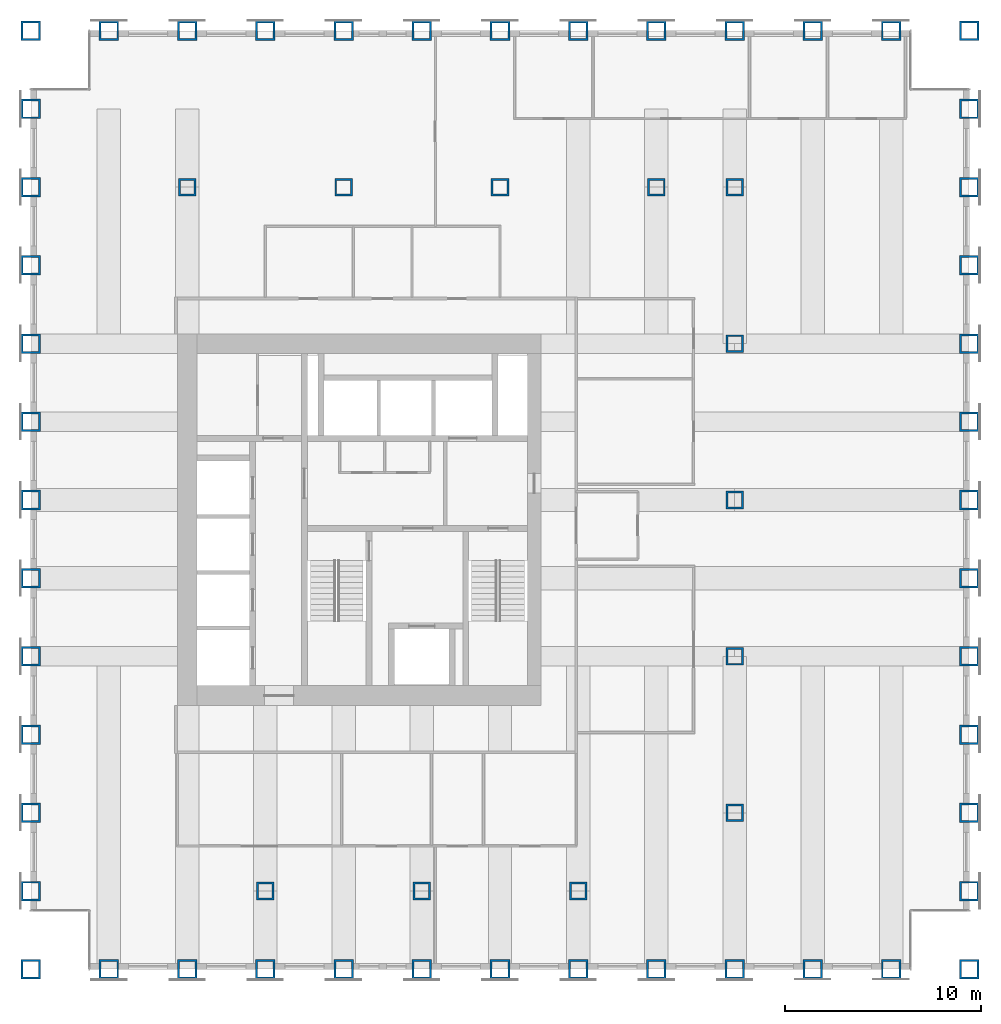
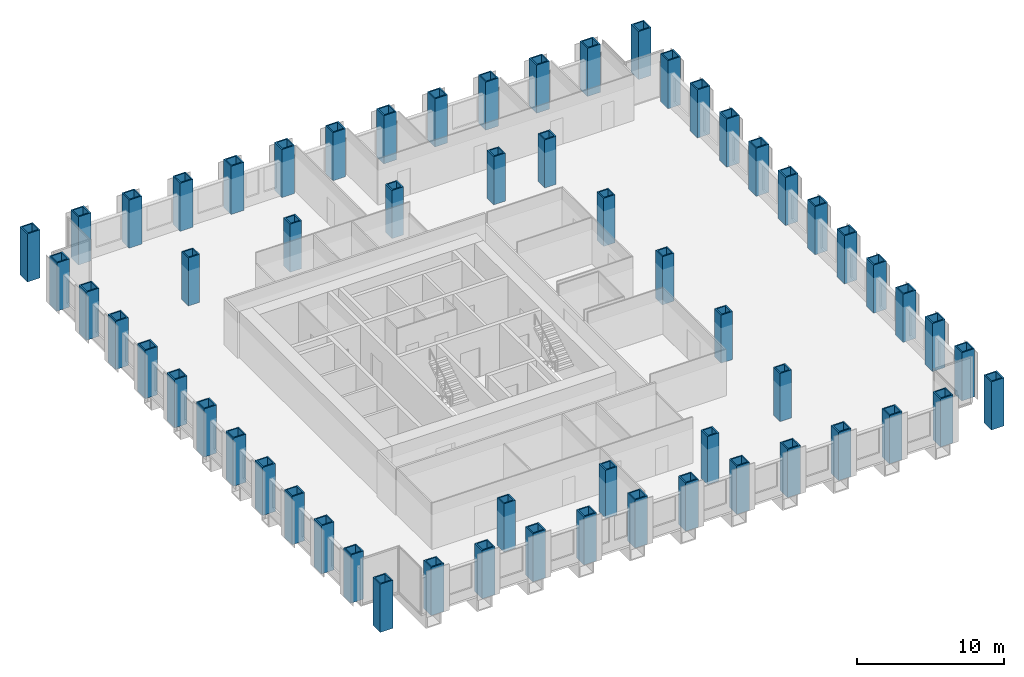
# One storey, part 1 of 14: 60 columns.
"""IFC4 building model written with IfcOpenShell, lengths in metres."""

from ifc_helpers import new_model, si_unit, direction, frame, origin, origin_2d, place, context, subcontext, project, spatial, hollow_rectangle, extrude, material, material_profile, profile_set, type_object, element, save


model = new_model("IFC4")

# Units and contexts
model_context = context("Model", 3, precision=1e-05, world=origin(), true_north=direction((0.0, 1.0)))
body_context = subcontext(model_context, "Body", "Model", "MODEL_VIEW")
ifc_project = project(units=[si_unit("LENGTHUNIT", "METRE"), si_unit("AREAUNIT", "SQUARE_METRE"), si_unit("VOLUMEUNIT", "CUBIC_METRE"), si_unit("PLANEANGLEUNIT", "RADIAN"), si_unit("MASSUNIT", "GRAM", prefix="KILO")], contexts=[model_context])

# Site, building, storey
site_placement = place(None, origin())
site = spatial("IfcSite", under=ifc_project, at=site_placement, CompositionType="ELEMENT")
building_placement = place(site_placement, origin())
building = spatial("IfcBuilding", under=site, at=building_placement, Name="Rimbunsela Tower", CompositionType="ELEMENT")
storey_placement = place(building_placement, frame((0.0, 0.0, 109.39990234375)))
storey = spatial("IfcBuildingStorey", under=building, at=storey_placement, Name="L26", CompositionType="ELEMENT", Elevation=109.39990234375)

# Columns
ifc_material_1 = material(Name="Steel BJ 55 (fy 410 MPa)", Category="steel")
ifc_material_profile_1 = material_profile(ifc_material_1, hollow_rectangle(XDim=1.0, YDim=1.0, WallThickness=0.10009765625, at=origin_2d()), Name="BOX 1000x1000x100")
ifc_profile_set_1 = profile_set([ifc_material_profile_1], Name="Steel BJ 55 (fy 410 MPa)")
column_type_1 = type_object("IfcColumnType", Name="Column BOX 1000x1000x100", PredefinedType="COLUMN", material=ifc_profile_set_1)
for number, where, z_axis, x_axis, name in (
    (1, (10.0, 4.0, 0.0), (0.0, 0.0, 1.0), (1.0, 0.0, 0.0), "Column C1 5/C L26"),
    (2, (10.0, 8.0, 0.0), (0.0, 0.0, 1.0), (1.0, 0.0, 0.0), "Column C1 5/D L26"),
    (3, (10.0, 12.0, 0.0), (0.0, 0.0, 1.0), (1.0, 0.0, 0.0), "Column C1 5/E L26"),
    (4, (10.0, 16.0, 0.0), (0.0, 0.0, 1.0), (1.0, 0.0, 0.0), "Column C1 5/F L26"),
    (5, (10.0, 20.0, 0.0), (0.0, 0.0, 1.0), (1.0, 0.0, 0.0), "Column C1 5/G L26"),
    (6, (10.0, 24.0, 0.0), (0.0, 0.0, 1.0), (1.0, 0.0, 0.0), "Column C1 5/H L26"),
    (7, (10.0, 28.0, 0.0), (0.0, 0.0, 1.0), (1.0, 0.0, 0.0), "Column C1 5/J L26"),
    (8, (10.0, 32.0, 0.0), (0.0, 0.0, 1.0), (1.0, 0.0, 0.0), "Column C1 5/K L26"),
    (9, (10.0, 36.0, 0.0), (0.0, 0.0, 1.0), (1.0, 0.0, 0.0), "Column C1 5/L L26"),
    (10, (10.0, 40.0, 0.0), (0.0, 0.0, 1.0), (1.0, 0.0, 0.0), "Column C1 5/M L26"),
    (11, (10.0, 44.0, 0.0), (0.0, 0.0, 1.0), (1.0, 0.0, 0.0), "Column C1 5/N L26"),
    (12, (10.0, 48.0, 0.0), (0.0, 0.0, 1.0), (1.0, 0.0, 0.0), "Column C1 5/P L26"),
    (13, (10.0, 52.0, 0.0), (0.0, 0.0, 1.0), (1.0, 0.0, 0.0), "Column C1 5/Q L26"),
    (14, (14.0, 4.0, 0.0), (0.0, 0.0, 1.0), (1.0, 0.0, 0.0), "Column C1 6/C L26"),
    (15, (14.0, 52.0, 0.0), (0.0, 0.0, 1.0), (1.0, 0.0, 0.0), "Column C1 6/Q L26"),
    (16, (18.0, 4.0, 0.0), (0.0, 0.0, 1.0), (1.0, 0.0, 0.0), "Column C1 7/C L26"),
    (17, (18.0, 52.0, 0.0), (0.0, 0.0, 1.0), (1.0, 0.0, 0.0), "Column C1 7/Q L26"),
    (18, (22.0, 4.0, 0.0), (0.0, 0.0, 1.0), (1.0, 0.0, 0.0), "Column C1 8/C L26"),
    (19, (22.0, 52.0, 0.0), (0.0, 0.0, 1.0), (1.0, 0.0, 0.0), "Column C1 8/Q L26"),
    (20, (26.0, 4.0, 0.0), (0.0, 0.0, 1.0), (1.0, 0.0, 0.0), "Column C1 9/C L26"),
    (21, (26.0, 52.0, 0.0), (0.0, 0.0, 1.0), (1.0, 0.0, 0.0), "Column C1 9/Q L26"),
    (22, (30.0, 4.0, 0.0), (0.0, 0.0, 1.0), (1.0, 0.0, 0.0), "Column C1 10/C L26"),
    (23, (30.0, 52.0, 0.0), (0.0, 0.0, 1.0), (1.0, 0.0, 0.0), "Column C1 10/Q L26"),
    (24, (34.0, 4.0, 0.0), (0.0, 0.0, 1.0), (1.0, 0.0, 0.0), "Column C1 11/C L26"),
    (25, (34.0, 52.0, 0.0), (0.0, 0.0, 1.0), (1.0, 0.0, 0.0), "Column C1 11/Q L26"),
    (26, (38.0, 4.0, 0.0), (0.0, 0.0, 1.0), (1.0, 0.0, 0.0), "Column C1 12/C L26"),
    (27, (38.0, 52.0, 0.0), (0.0, 0.0, 1.0), (1.0, 0.0, 0.0), "Column C1 12/Q L26"),
    (28, (42.0, 4.0, 0.0), (0.0, 0.0, 1.0), (1.0, 0.0, 0.0), "Column C1 13/C L26"),
    (29, (42.0, 52.0, 0.0), (0.0, 0.0, 1.0), (1.0, 0.0, 0.0), "Column C1 13/Q L26"),
    (30, (46.0, 4.0, 0.0), (0.0, 0.0, 1.0), (1.0, 0.0, 0.0), "Column C1 14/C L26"),
    (31, (46.0, 52.0, 0.0), (0.0, 0.0, 1.0), (1.0, 0.0, 0.0), "Column C1 14/Q L26"),
    (32, (50.0, 4.0, 0.0), (0.0, 0.0, 1.0), (1.0, 0.0, 0.0), "Column C1 15/C L26"),
    (33, (50.0, 52.0, 0.0), (0.0, 0.0, 1.0), (1.0, 0.0, 0.0), "Column C1 15/Q L26"),
    (34, (54.0, 4.0, 0.0), (0.0, 0.0, 1.0), (1.0, 0.0, 0.0), "Column C1 16/C L26"),
    (35, (54.0, 52.0, 0.0), (0.0, 0.0, 1.0), (1.0, 0.0, 0.0), "Column C1 16/Q L26"),
    (36, (58.0, 4.0, 0.0), (0.0, 0.0, 1.0), (1.0, 0.0, 0.0), "Column C1 17/C L26"),
    (37, (58.0, 8.0, 0.0), (0.0, 0.0, 1.0), (1.0, 0.0, 0.0), "Column C1 17/D L26"),
    (38, (58.0, 12.0, 0.0), (0.0, 0.0, 1.0), (1.0, 0.0, 0.0), "Column C1 17/E L26"),
    (39, (58.0, 16.0, 0.0), (0.0, 0.0, 1.0), (1.0, 0.0, 0.0), "Column C1 17/F L26"),
    (40, (58.0, 20.0, 0.0), (0.0, 0.0, 1.0), (1.0, 0.0, 0.0), "Column C1 17/G L26"),
    (41, (58.0, 24.0, 0.0), (0.0, 0.0, 1.0), (1.0, 0.0, 0.0), "Column C1 17/H L26"),
    (42, (58.0, 28.0, 0.0), (0.0, 0.0, 1.0), (1.0, 0.0, 0.0), "Column C1 17/J L26"),
    (43, (58.0, 32.0, 0.0), (0.0, 0.0, 1.0), (1.0, 0.0, 0.0), "Column C1 17/K L26"),
    (44, (58.0, 36.0, 0.0), (0.0, 0.0, 1.0), (1.0, 0.0, 0.0), "Column C1 17/L L26"),
    (45, (58.0, 40.0, 0.0), (0.0, 0.0, 1.0), (1.0, 0.0, 0.0), "Column C1 17/M L26"),
    (46, (58.0, 44.0, 0.0), (0.0, 0.0, 1.0), (1.0, 0.0, 0.0), "Column C1 17/N L26"),
    (47, (58.0, 48.0, 0.0), (0.0, 0.0, 1.0), (1.0, 0.0, 0.0), "Column C1 17/P L26"),
    (48, (58.0, 52.0, 0.0), (0.0, 0.0, 1.0), (1.0, 0.0, 0.0), "Column C1 17/Q L26"),
):
    element("IfcColumn", number, at=place(storey_placement, frame(where, z_axis=z_axis, x_axis=x_axis)), inside=storey, type_object=column_type_1, Name=name, PredefinedType="COLUMN", context=body_context, shape_type="SweptSolid", body=[
        extrude(hollow_rectangle(XDim=1.0, YDim=1.0, WallThickness=0.10009765625, at=origin_2d()), origin(), (0.0, 0.0, 1.0), 4.0),
    ])
ifc_material_2 = material(Name="Steel BJ 55 (fy 410 MPa)", Category="steel")
ifc_material_profile_2 = material_profile(ifc_material_2, hollow_rectangle(XDim=0.89990234375, YDim=0.89990234375, WallThickness=0.10009765625, at=origin_2d()), Name="BOX 900x900x100")
ifc_profile_set_2 = profile_set([ifc_material_profile_2], Name="Steel BJ 55 (fy 410 MPa)")
column_type_2 = type_object("IfcColumnType", Name="Column BOX 900x900x100", PredefinedType="COLUMN", material=ifc_profile_set_2)
for number, where, z_axis, x_axis, name in (
    (49, (18.0, 44.0, 0.0), (0.0, 0.0, 1.0), (1.0, 0.0, 0.0), "Column C5 7/N L26"),
    (50, (22.0, 8.0, 0.0), (0.0, 0.0, 1.0), (1.0, 0.0, 0.0), "Column C5 8/D L26"),
    (51, (26.0, 44.0, 0.0), (0.0, 0.0, 1.0), (1.0, 0.0, 0.0), "Column C5 9/N L26"),
    (52, (30.0, 8.0, 0.0), (0.0, 0.0, 1.0), (1.0, 0.0, 0.0), "Column C5 10/D L26"),
    (53, (34.0, 44.0, 0.0), (0.0, 0.0, 1.0), (1.0, 0.0, 0.0), "Column C5 11/N L26"),
    (54, (38.0, 8.0, 0.0), (0.0, 0.0, 1.0), (1.0, 0.0, 0.0), "Column C5 12/D L26"),
    (55, (42.0, 44.0, 0.0), (0.0, 0.0, 1.0), (1.0, 0.0, 0.0), "Column C5 13/N L26"),
    (56, (46.0, 12.0, 0.0), (0.0, 0.0, 1.0), (1.0, 0.0, 0.0), "Column C5 14/E L26"),
    (57, (46.0, 20.0, 0.0), (0.0, 0.0, 1.0), (1.0, 0.0, 0.0), "Column C5 14/G L26"),
    (58, (46.0, 28.0, 0.0), (0.0, 0.0, 1.0), (1.0, 0.0, 0.0), "Column C5 14/J L26"),
    (59, (46.0, 36.0, 0.0), (0.0, 0.0, 1.0), (1.0, 0.0, 0.0), "Column C5 14/L L26"),
    (60, (46.0, 44.0, 0.0), (0.0, 0.0, 1.0), (1.0, 0.0, 0.0), "Column C5 14/N L26"),
):
    element("IfcColumn", number, at=place(storey_placement, frame(where, z_axis=z_axis, x_axis=x_axis)), inside=storey, type_object=column_type_2, Name=name, PredefinedType="COLUMN", context=body_context, shape_type="SweptSolid", body=[
        extrude(hollow_rectangle(XDim=0.89990234375, YDim=0.89990234375, WallThickness=0.10009765625, at=origin_2d()), origin(), (0.0, 0.0, 1.0), 4.0),
    ])

save(model, "model.ifc")
